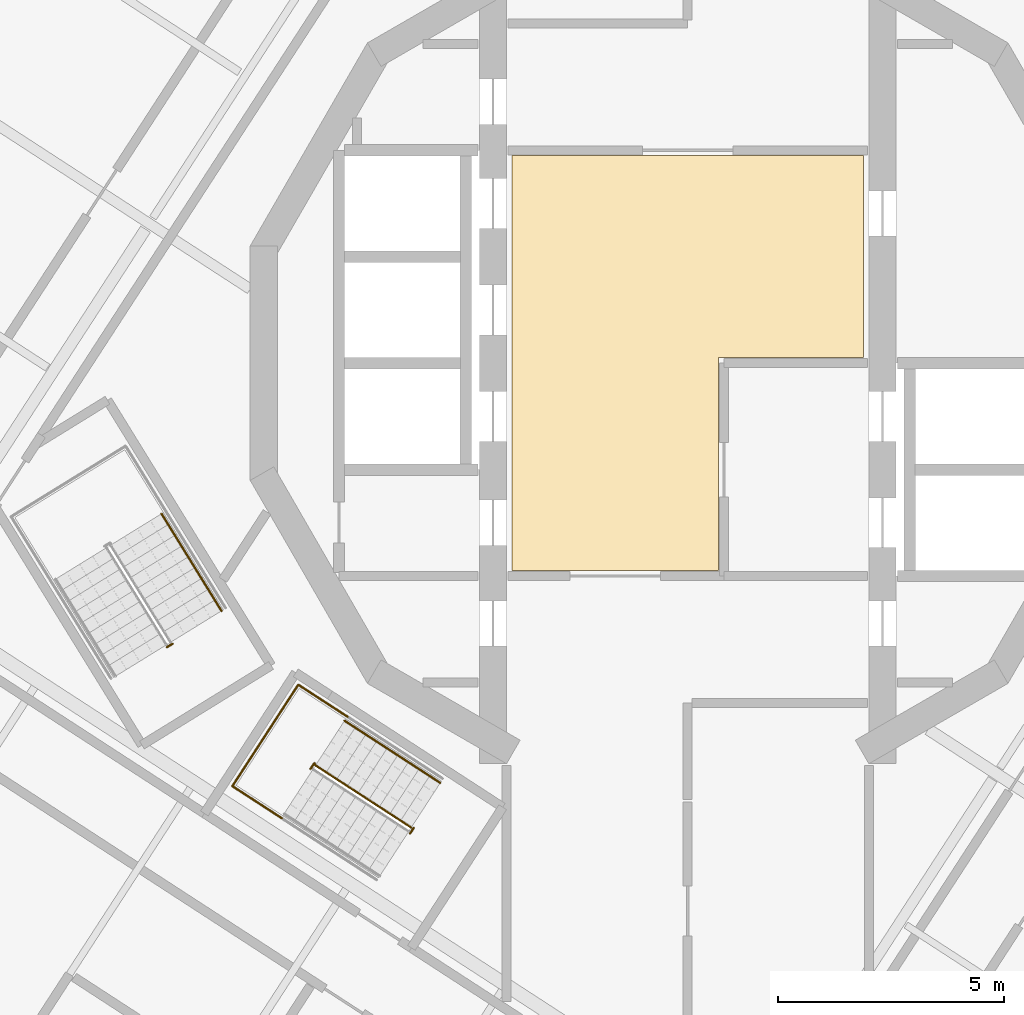
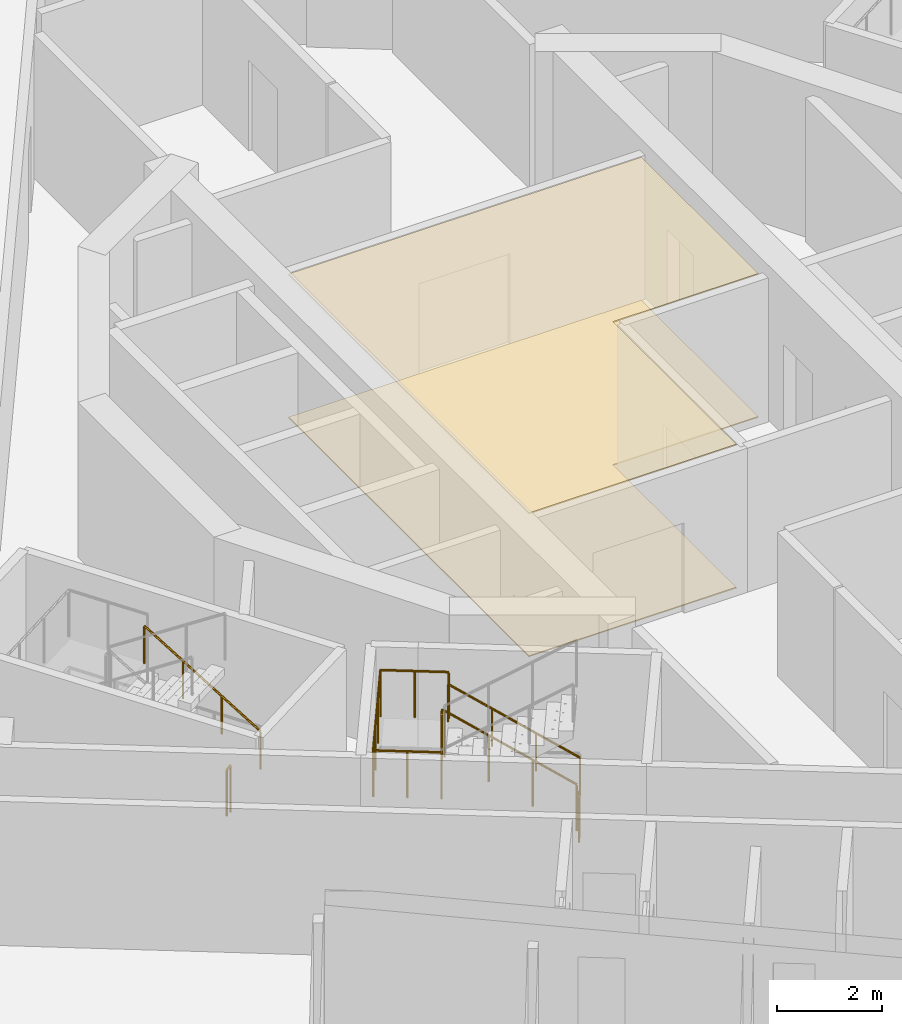
# One storey, part 14 of 17: 6 railings, 2 coverings.
"""IFC4 building model written with IfcOpenShell, lengths in metres."""

import ifcopenshell
import ifcopenshell.guid

model = None  # the IFC model being written
_history = None  # IfcOwnerHistory: only IFC2X3 demands one
_inside = {}  # id of a spatial element -> (the spatial element, [elements in it])
_under = {}  # id of a project, library or spatial element -> (it, [spatial elements below it])
_declared = {}  # id of a project -> (the project, [libraries it declares])
_typed = {}  # id of a type object -> (the type object, [elements of that type])
_made_of = {}  # id of a material, layer set ... -> (it, [elements and type objects made of it])


def new_model(schema):
    """Start an empty IFC model of exactly this schema.

    Asked for "IFC4X3", IfcOpenShell would pick the latest addendum, in which some entities
    have other attributes; the version numbers below select the first issue.
    IFC2X3 requires an IfcOwnerHistory on every rooted entity: one is made here for all.
    """
    global model, _history
    if schema == "IFC4X3":
        model = ifcopenshell.file(schema_version=(4, 3, 0, 0))
    else:
        model = ifcopenshell.file(schema=schema)
    _inside.clear()
    _under.clear()
    _declared.clear()
    _typed.clear()
    _made_of.clear()
    _history = None
    if model.schema == "IFC2X3":
        org = make("IfcOrganization", Name="unknown")
        user = make(
            "IfcPersonAndOrganization",
            ThePerson=make("IfcPerson", FamilyName="unknown"),
            TheOrganization=org,
        )
        app = make(
            "IfcApplication",
            ApplicationDeveloper=org,
            Version="unknown",
            ApplicationFullName="unknown",
            ApplicationIdentifier="unknown",
        )
        _history = make(
            "IfcOwnerHistory",
            OwningUser=user,
            OwningApplication=app,
            ChangeAction="ADDED",
            CreationDate=0,
        )
    return model


def make(cls, **values):
    """One entity of the class cls with the attributes given. An attribute that is None is left unset."""
    return model.create_entity(
        cls, **{name: value for name, value in values.items() if value is not None}
    )


def rooted(cls, **values):
    """An entity with a GlobalId (a new one), such as an element, a storey or a relation."""
    return make(cls, GlobalId=ifcopenshell.guid.new(), OwnerHistory=_history, **values)


def si_unit(unit_type, name, prefix=None):
    """IfcSIUnit, for example si_unit("LENGTHUNIT", "METRE", prefix="MILLI")."""
    return make("IfcSIUnit", UnitType=unit_type, Prefix=prefix, Name=name)


def assignment(units):
    """IfcUnitAssignment: the units of a project."""
    return None if units is None else make("IfcUnitAssignment", Units=units)


def point(xyz):
    """IfcCartesianPoint."""
    return None if xyz is None else make("IfcCartesianPoint", Coordinates=xyz)


def direction(xyz):
    """IfcDirection."""
    return None if xyz is None else make("IfcDirection", DirectionRatios=xyz)


def frame(location, z_axis=None, x_axis=None):
    """IfcAxis2Placement3D, a coordinate frame: its origin and axes. An axis left out is left unset."""
    return make(
        "IfcAxis2Placement3D",
        Location=point(location),
        Axis=direction(z_axis),
        RefDirection=direction(x_axis),
    )


def frame_2d(location, x_axis=None):
    """IfcAxis2Placement2D, a coordinate frame in the plane: its origin and x axis."""
    return make(
        "IfcAxis2Placement2D", Location=point(location), RefDirection=direction(x_axis)
    )


def origin():
    """The frame at (0, 0, 0) with its axes left unset."""
    return frame((0.0, 0.0, 0.0))


def origin_2d():
    """The frame at (0, 0) in the plane with its x axis left unset."""
    return frame_2d((0.0, 0.0))


def place(relative_to, where):
    """IfcLocalPlacement: puts the frame where relative to a parent placement (None: the world)."""
    return make(
        "IfcLocalPlacement", PlacementRelTo=relative_to, RelativePlacement=where
    )


def context(
    kind, dimensions, precision=None, world=None, true_north=None, identifier=None
):
    """IfcGeometricRepresentationContext, for example the 3D "Model" context."""
    return make(
        "IfcGeometricRepresentationContext",
        ContextIdentifier=identifier,
        ContextType=kind,
        CoordinateSpaceDimension=dimensions,
        Precision=precision,
        WorldCoordinateSystem=world,
        TrueNorth=true_north,
    )


def subcontext(parent, identifier, kind, view, scale=None):
    """IfcGeometricRepresentationSubContext, for example "Body" below "Model"."""
    return make(
        "IfcGeometricRepresentationSubContext",
        ContextIdentifier=identifier,
        ContextType=kind,
        ParentContext=parent,
        TargetScale=scale,
        TargetView=view,
    )


def project(units=None, contexts=None):
    """IfcProject with its units and contexts."""
    return rooted(
        "IfcProject",
        Name="project",
        RepresentationContexts=contexts,
        UnitsInContext=assignment(units),
    )


def spatial(cls, under=None, at=None, **own):
    """A site, building, storey or space (cls), placed at a placement, below another one or the project."""
    s = rooted(cls, ObjectPlacement=at, **own)
    if under is not None:
        _under.setdefault(under.id(), (under, []))[1].append(s)
    return s


def polyline(points):
    """IfcPolyline through the points."""
    return make("IfcPolyline", Points=[point(p) for p in points])


def profile(cls, at=None, kind="AREA", **sizes):
    """A parametric profile (cls). Its sizes go by their IFC names, for example OverallWidth=200.0."""
    return make(cls, ProfileType=kind, Position=at, **sizes)


def circle(**sizes):
    """IfcCircleProfileDef."""
    return profile("IfcCircleProfileDef", **sizes)


def outline(outer, holes=None, kind="AREA"):
    """IfcArbitraryClosedProfileDef: a profile drawn as a closed curve; with holes, ...WithVoids."""
    if holes is None:
        return make("IfcArbitraryClosedProfileDef", ProfileType=kind, OuterCurve=outer)
    return make(
        "IfcArbitraryProfileDefWithVoids",
        ProfileType=kind,
        OuterCurve=outer,
        InnerCurves=holes,
    )


def extrude(swept, where, along, depth):
    """IfcExtrudedAreaSolid: the profile swept, set in the frame where, extruded along a direction by depth."""
    return make(
        "IfcExtrudedAreaSolid",
        SweptArea=swept,
        Position=where,
        ExtrudedDirection=direction(along),
        Depth=depth,
    )


def shape(context_of_items, identifier, shape_type, items):
    """IfcShapeRepresentation: the items that make up one representation, for example the "Body"."""
    return make(
        "IfcShapeRepresentation",
        ContextOfItems=context_of_items,
        RepresentationIdentifier=identifier,
        RepresentationType=shape_type,
        Items=items,
    )


def material(Name=None, Category=None):
    """IfcMaterial."""
    return make("IfcMaterial", Name=Name, Category=Category)


def layer(
    of_material, thickness, ventilated=None, Name=None, Category=None, Priority=None
):
    """IfcMaterialLayer: one layer of a wall or slab, of a material (None: an air gap)."""
    return make(
        "IfcMaterialLayer",
        Material=of_material,
        LayerThickness=thickness,
        IsVentilated=ventilated,
        Name=Name,
        Category=Category,
        Priority=Priority,
    )


def layer_set(layers, Name=None):
    """IfcMaterialLayerSet."""
    return make("IfcMaterialLayerSet", MaterialLayers=layers, LayerSetName=Name)


def made_of(thing, what):
    """Note that an element or type object is made of a material, layer set ...; save() writes the relation."""
    if what is not None:
        _made_of.setdefault(what.id(), (what, []))[1].append(thing)
    return thing


def type_object(cls, material=None, **own):
    """A type object (cls), such as IfcWallType, which elements share."""
    return made_of(rooted(cls, **own), material)


def element(
    cls,
    number,
    at=None,
    inside=None,
    cuts=None,
    type_object=None,
    material=None,
    context=None,
    identifier="Body",
    shape_type=None,
    held_by="IfcProductDefinitionShape",
    body=None,
    shapes=None,
    **own,
):
    """One element of the class cls, such as IfcWall. Its Tag is "e" and its number.

    at: its placement. inside: the storey or other place that contains it. cuts: it is an
    opening in that element (IfcRelVoidsElement). A single representation is given by context,
    identifier, shape_type and body (its items); several are given by shapes. held_by: the class
    of the entity that holds the representations. save() writes the other relations.
    """
    e = rooted(cls, Tag="e%d" % number, ObjectPlacement=at, **own)
    if body is not None:
        shapes = [shape(context, identifier, shape_type, body)]
    if shapes is not None:
        e.Representation = make(held_by, Representations=shapes)
    if inside is not None:
        _inside.setdefault(inside.id(), (inside, []))[1].append(e)
    if cuts is not None:
        rooted(
            "IfcRelVoidsElement", RelatingBuildingElement=cuts, RelatedOpeningElement=e
        )
    if type_object is not None:
        _typed.setdefault(type_object.id(), (type_object, []))[1].append(e)
    return made_of(e, material)


def aggregate(whole, parts):
    """IfcRelAggregates: a whole, such as a stair, and the parts it consists of."""
    return rooted("IfcRelAggregates", RelatingObject=whole, RelatedObjects=parts)


def save(model, path):
    """Write the relations noted so far, then the file.

    IfcRelAggregates (storeys below a building ...), IfcRelContainedInSpatialStructure (elements
    in a storey), IfcRelDefinesByType, IfcRelAssociatesMaterial and IfcRelDeclares: one each for
    every whole, place, type object, material and project.
    """
    for whole, parts in _under.values():
        aggregate(whole, parts)
    for where, things in _inside.values():
        rooted(
            "IfcRelContainedInSpatialStructure",
            RelatedElements=things,
            RelatingStructure=where,
        )
    for kind, things in _typed.values():
        rooted("IfcRelDefinesByType", RelatedObjects=things, RelatingType=kind)
    for what, things in _made_of.values():
        rooted("IfcRelAssociatesMaterial", RelatedObjects=things, RelatingMaterial=what)
    for by, libraries in _declared.values():
        rooted("IfcRelDeclares", RelatingContext=by, RelatedDefinitions=libraries)
    model.write(path)


model = new_model("IFC4")

# Units and contexts
model_context = context("Model", 3, precision=1e-05, world=origin(), true_north=direction((0.0, 1.0)))
body_context = subcontext(model_context, "Body", "Model", "MODEL_VIEW")
ifc_project = project(units=[si_unit("LENGTHUNIT", "METRE"), si_unit("AREAUNIT", "SQUARE_METRE"), si_unit("VOLUMEUNIT", "CUBIC_METRE"), si_unit("PLANEANGLEUNIT", "RADIAN"), si_unit("MASSUNIT", "GRAM", prefix="KILO")], contexts=[model_context])

# Site, building, storey
site_placement = place(None, origin())
site = spatial("IfcSite", under=ifc_project, at=site_placement, CompositionType="ELEMENT")
building_placement = place(site_placement, origin())
building = spatial("IfcBuilding", under=site, at=building_placement, Name="Cantera Rosa Tower", CompositionType="ELEMENT")
storey_placement = place(building_placement, frame((0.0, 0.0, 279.300048828125)))
storey = spatial("IfcBuildingStorey", under=building, at=storey_placement, Name="L63", CompositionType="ELEMENT", Elevation=279.300048828125)

# Railings
ifc_material_1 = material(Name="Steel S355J2 (EN 10025-2)", Category="steel")
railing_type_1 = type_object("IfcRailingType", Name="STAIR GUARD 1100", PredefinedType="GUARDRAIL", material=ifc_material_1)
railing_1_placement = place(storey_placement, frame((-11.375, -6.19482421875, 0.0)))
element("IfcRailing", 1, at=railing_1_placement, inside=storey, type_object=railing_type_1, Name="L63 ST-52 stair guard 3", PredefinedType="GUARDRAIL", context=body_context, shape_type="SweptSolid", body=[
    extrude(circle(Radius=0.02392578125, at=origin_2d()), frame((0.0, 0.0, 1.076171875), z_axis=(-0.851546489876, -0.524279100842, 0.0), x_axis=(0.524279100842, -0.851546489876, 0.0)), (0.0, 0.0, 1.0), 0.14990234375),
    extrude(circle(Radius=0.02099609375, at=origin_2d()), origin(), (0.0, 0.0, 1.0), 1.052001953125),
    extrude(circle(Radius=0.02099609375, at=origin_2d()), frame((-0.127685546875, -0.07861328125, 0.0)), (0.0, 0.0, 1.0), 1.052001953125),
])
railing_2_placement = place(storey_placement, frame((-6.10400390625, -10.25341796875, 0.179931640625)))
element("IfcRailing", 2, at=railing_2_placement, inside=storey, type_object=railing_type_1, Name="L63 ST-53 stair guard 1", PredefinedType="GUARDRAIL", context=body_context, shape_type="SweptSolid", body=[
    extrude(circle(Radius=0.02392578125, at=origin_2d()), frame((0.0, 0.0, 1.076171875), z_axis=(-0.705462015847, 0.458138784, 0.540770005448), x_axis=(-0.544644381691, -0.838667095749, 0.0)), (0.0, 0.0, 1.0), 2.995849609375),
    extrude(circle(Radius=0.02392578125, at=origin_2d()), frame((-2.113525390625, 1.37255859375, 2.6962890625), z_axis=(-0.49005532576, 0.871691331662, 0.0), x_axis=(-0.871691331662, -0.49005532576, 0.0)), (0.0, 0.0, 1.0), 0.056396484375),
    extrude(circle(Radius=0.02392578125, at=origin_2d()), frame((-2.14111328125, 1.421630859375, 2.6962890625), z_axis=(-0.545274379459, -0.838257628123, 0.0), x_axis=(0.838257628123, -0.545274379459, 0.0)), (0.0, 0.0, 1.0), 0.14990234375),
    extrude(circle(Radius=0.02099609375, at=origin_2d()), origin(), (0.0, 0.0, 1.0), 1.052001953125),
    extrude(circle(Radius=0.02099609375, at=origin_2d()), frame((-0.70458984375, 0.45751953125, 0.5400390625)), (0.0, 0.0, 1.0), 1.052001953125),
    extrude(circle(Radius=0.02099609375, at=origin_2d()), frame((-1.408935546875, 0.9150390625, 1.080078125)), (0.0, 0.0, 1.0), 1.052001953125),
    extrude(circle(Radius=0.02099609375, at=origin_2d()), frame((-2.113525390625, 1.37255859375, 1.6201171875)), (0.0, 0.0, 1.0), 1.052001953125),
    extrude(circle(Radius=0.02099609375, at=origin_2d()), frame((-2.14111328125, 1.421630859375, 1.6201171875)), (0.0, 0.0, 1.0), 1.052001953125),
    extrude(circle(Radius=0.02099609375, at=origin_2d()), frame((-2.222900390625, 1.2958984375, 1.6201171875)), (0.0, 0.0, 1.0), 1.052001953125),
])
railing_3_placement = place(storey_placement, frame((-6.0478515625, -10.2587890625, 0.0)))
element("IfcRailing", 3, at=railing_3_placement, inside=storey, type_object=railing_type_1, Name="L63 ST-53 stair guard 3", PredefinedType="GUARDRAIL", context=body_context, shape_type="SweptSolid", body=[
    extrude(circle(Radius=0.02392578125, at=origin_2d()), frame((0.0, 0.0, 1.076171875), z_axis=(-0.545274379459, -0.838257628123, 0.0), x_axis=(0.838257628123, -0.545274379459, 0.0)), (0.0, 0.0, 1.0), 0.14990234375),
    extrude(circle(Radius=0.02099609375, at=origin_2d()), origin(), (0.0, 0.0, 1.0), 1.052001953125),
    extrude(circle(Radius=0.02099609375, at=origin_2d()), frame((-0.081787109375, -0.125732421875, 0.0)), (0.0, 0.0, 1.0), 1.052001953125),
])
railing_4_placement = place(storey_placement, frame((-7.507080078125, -7.808837890625, 1.800048828125)))
element("IfcRailing", 4, at=railing_4_placement, inside=storey, type_object=railing_type_1, Name="L63 ST-53 stair guard 5", PredefinedType="GUARDRAIL", context=body_context, shape_type="SweptSolid", body=[
    extrude(circle(Radius=0.02392578125, at=origin_2d()), frame((0.0, 0.0, 1.076171875), z_axis=(-0.838597818641, 0.544751042744, 0.0), x_axis=(-0.544751042744, -0.838597818641, 0.0)), (0.0, 0.0, 1.0), 1.302001953125),
    extrude(circle(Radius=0.02392578125, at=origin_2d()), frame((-1.091796875, 0.709228515625, 1.076171875), z_axis=(-0.544679779991, -0.838644106442, 0.0), x_axis=(0.838644106442, -0.544679779991, 0.0)), (0.0, 0.0, 1.0), 2.670166015625),
    extrude(circle(Radius=0.02392578125, at=origin_2d()), frame((-2.546142578125, -1.530029296875, 1.076171875), z_axis=(0.838653453326, -0.544665388311, 0.0), x_axis=(0.544665388311, 0.838653453326, 0.0)), (0.0, 0.0, 1.0), 1.30224609375),
    extrude(circle(Radius=0.02099609375, at=origin_2d()), origin(), (0.0, 0.0, 1.0), 1.052001953125),
    extrude(circle(Radius=0.02099609375, at=origin_2d()), frame((-0.5458984375, 0.3544921875, 0.0)), (0.0, 0.0, 1.0), 1.052001953125),
    extrude(circle(Radius=0.02099609375, at=origin_2d()), frame((-1.091796875, 0.709228515625, 0.0)), (0.0, 0.0, 1.0), 1.052001953125),
    extrude(circle(Radius=0.02099609375, at=origin_2d()), frame((-1.57666015625, -0.037109375, 0.0)), (0.0, 0.0, 1.0), 1.052001953125),
    extrude(circle(Radius=0.02099609375, at=origin_2d()), frame((-2.061279296875, -0.78369140625, 0.0)), (0.0, 0.0, 1.0), 1.052001953125),
    extrude(circle(Radius=0.02099609375, at=origin_2d()), frame((-2.546142578125, -1.530029296875, 0.0)), (0.0, 0.0, 1.0), 1.052001953125),
    extrude(circle(Radius=0.02099609375, at=origin_2d()), frame((-2.0, -1.884765625, 0.0)), (0.0, 0.0, 1.0), 1.052001953125),
    extrude(circle(Radius=0.02099609375, at=origin_2d()), frame((-1.4541015625, -2.2392578125, 0.0)), (0.0, 0.0, 1.0), 1.052001953125),
])
ifc_material_2 = material(Name="Steel S355J2 (EN 10025-2)", Category="steel")
railing_type_2 = type_object("IfcRailingType", Name="STAIR HANDRAIL 900", PredefinedType="HANDRAIL", material=ifc_material_2)
railing_5_placement = place(storey_placement, frame((-10.294677734375, -5.4697265625, 0.179931640625)))
element("IfcRailing", 5, at=railing_5_placement, inside=storey, type_object=railing_type_2, Name="L63 ST-52 stair handrail 1", PredefinedType="HANDRAIL", context=body_context, shape_type="SweptSolid", body=[
    extrude(circle(Radius=0.02392578125, at=origin_2d()), frame((0.0, 0.0, 0.8759765625), z_axis=(-0.441609067481, 0.715913574058, 0.540785711718), x_axis=(-0.851102330005, -0.524999832248, 0.0)), (0.0, 0.0, 1.0), 2.995849609375),
    extrude(circle(Radius=0.02099609375, at=origin_2d()), origin(), (0.0, 0.0, 1.0), 0.851806640625),
    extrude(circle(Radius=0.02099609375, at=origin_2d()), frame((-0.44091796875, 0.71484375, 0.5400390625)), (0.0, 0.0, 1.0), 0.851806640625),
    extrude(circle(Radius=0.02099609375, at=origin_2d()), frame((-0.882080078125, 1.429931640625, 1.080078125)), (0.0, 0.0, 1.0), 0.851806640625),
    extrude(circle(Radius=0.02099609375, at=origin_2d()), frame((-1.322998046875, 2.144775390625, 1.6201171875)), (0.0, 0.0, 1.0), 0.851806640625),
])
railing_6_placement = place(storey_placement, frame((-5.463623046875, -9.26708984375, 0.179931640625)))
element("IfcRailing", 6, at=railing_6_placement, inside=storey, type_object=railing_type_2, Name="L63 ST-53 stair handrail 1", PredefinedType="HANDRAIL", context=body_context, shape_type="SweptSolid", body=[
    extrude(circle(Radius=0.02392578125, at=origin_2d()), frame((0.0, 0.0, 0.8759765625), z_axis=(-0.705421077808, 0.458165122394, 0.540801094309), x_axis=(-0.544688635705, -0.838638354795, 0.0)), (0.0, 0.0, 1.0), 2.995849609375),
    extrude(circle(Radius=0.02099609375, at=origin_2d()), origin(), (0.0, 0.0, 1.0), 0.851806640625),
    extrude(circle(Radius=0.02099609375, at=origin_2d()), frame((-0.704345703125, 0.45751953125, 0.5400390625)), (0.0, 0.0, 1.0), 0.851806640625),
    extrude(circle(Radius=0.02099609375, at=origin_2d()), frame((-1.408935546875, 0.9150390625, 1.080078125)), (0.0, 0.0, 1.0), 0.851806640625),
    extrude(circle(Radius=0.02099609375, at=origin_2d()), frame((-2.11328125, 1.37255859375, 1.6201171875)), (0.0, 0.0, 1.0), 0.851806640625),
])

# Coverings
ifc_material_3 = material(Name="Limestone paving", Category="masonry")
ifc_layer_1 = layer(ifc_material_3, 0.02490234375)
ifc_layer_set_1 = layer_set([ifc_layer_1], Name="STONE FLOOR FINISH 25")
covering_type_1 = type_object("IfcCoveringType", Name="STONE FLOOR FINISH 25", PredefinedType="FLOORING", material=ifc_layer_set_1)
covering_1_placement = place(storey_placement, origin())
element("IfcCovering", 7, at=covering_1_placement, inside=storey, type_object=covering_type_1, Name="STONE FLOOR FINISH L63", PredefinedType="FLOORING", context=body_context, shape_type="SweptSolid", body=[
    extrude(outline(polyline([(3.8798828125, 4.580078125), (3.8798828125, 0.1201171875), (0.679931640625, 0.1201171875), (0.679931640625, -4.580078125), (-3.8798828125, -4.580078125), (-3.8798828125, 4.580078125), (3.8798828125, 4.580078125)])), origin(), (0.0, 0.0, 1.0), 0.02490234375),
])
ifc_material_4 = material(Name="Gypsum ceiling tile")
ifc_layer_2 = layer(ifc_material_4, 0.030029296875)
ifc_layer_set_2 = layer_set([ifc_layer_2], Name="SUSPENDED CEILING 30")
covering_type_2 = type_object("IfcCoveringType", Name="SUSPENDED CEILING 30", PredefinedType="CEILING", material=ifc_layer_set_2)
covering_2_placement = place(storey_placement, frame((0.0, 0.0, 3.320068359375)))
element("IfcCovering", 8, at=covering_2_placement, inside=storey, type_object=covering_type_2, Name="SUSPENDED CEILING L63", PredefinedType="CEILING", context=body_context, shape_type="SweptSolid", body=[
    extrude(outline(polyline([(3.8798828125, 4.580078125), (3.8798828125, 0.1201171875), (0.679931640625, 0.1201171875), (0.679931640625, -4.580078125), (-3.8798828125, -4.580078125), (-3.8798828125, 4.580078125), (3.8798828125, 4.580078125)])), origin(), (0.0, 0.0, 1.0), 0.02978515625),
])

save(model, "model.ifc")
